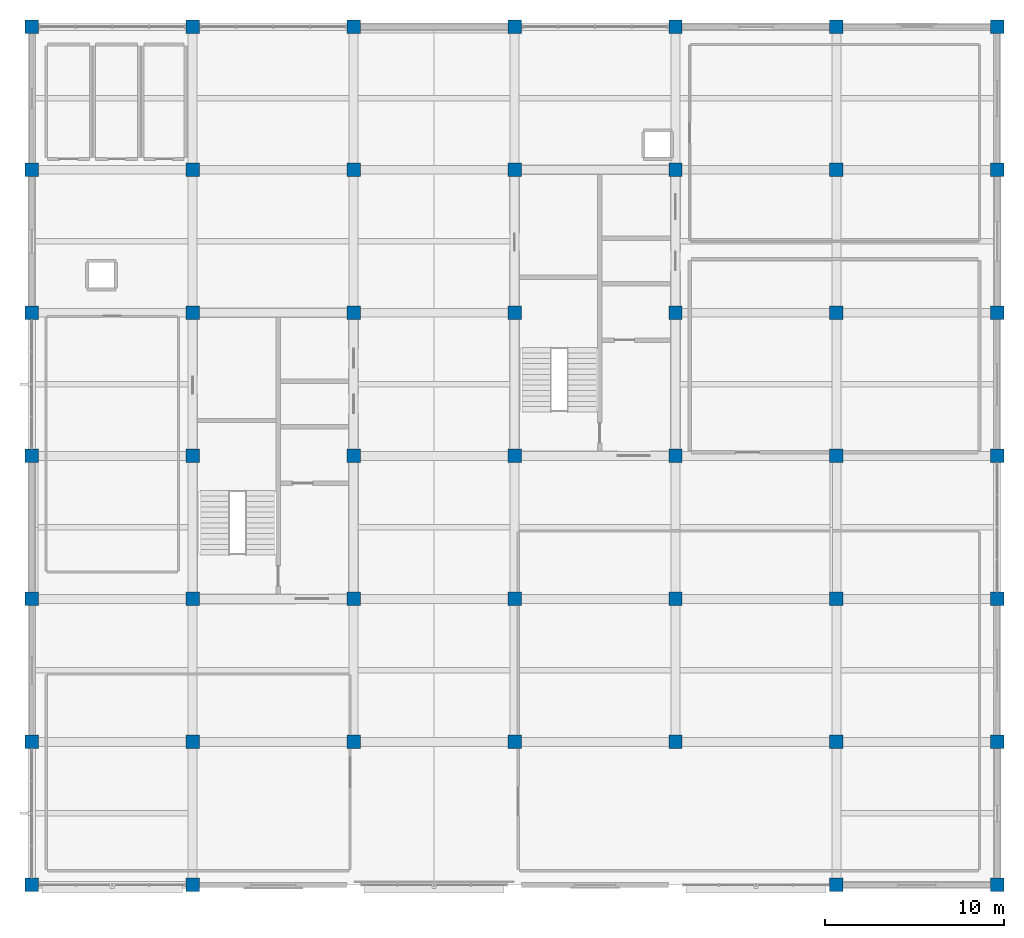
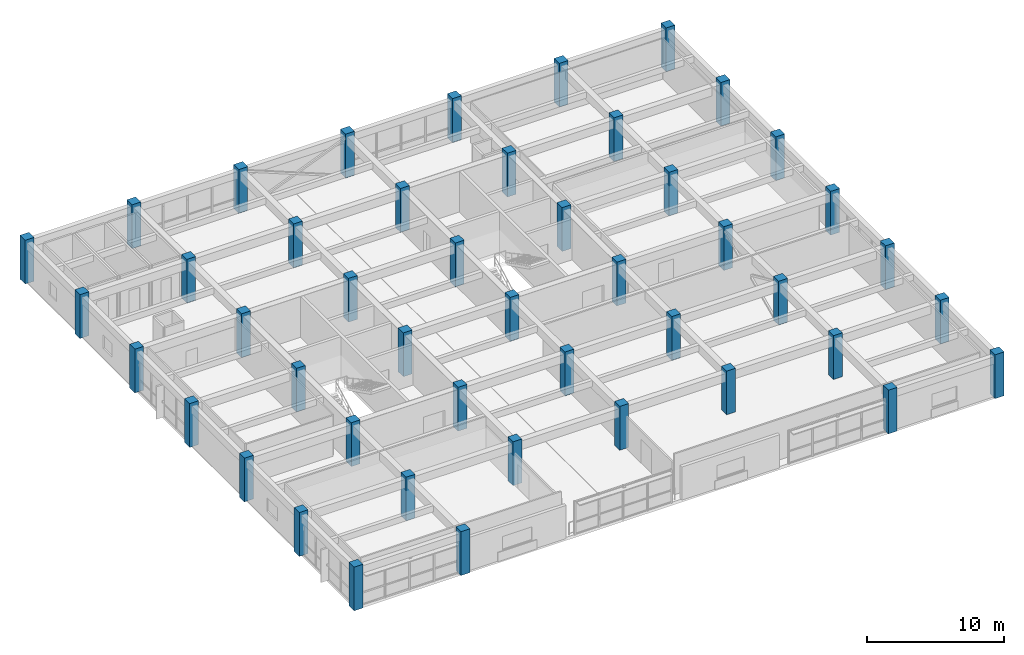
# One storey, part 1 of 15: 46 columns.
"""IFC4 building model written with IfcOpenShell, lengths in metres."""

from ifc_helpers import new_model, si_unit, direction, frame, origin, origin_2d, place, context, subcontext, project, spatial, rectangle, extrude, material, material_profile, profile_set, type_object, element, save


model = new_model("IFC4")

# Units and contexts
model_context = context("Model", 3, precision=1e-05, world=origin(), true_north=direction((0.0, 1.0)))
body_context = subcontext(model_context, "Body", "Model", "MODEL_VIEW")
ifc_project = project(units=[si_unit("LENGTHUNIT", "METRE"), si_unit("AREAUNIT", "SQUARE_METRE"), si_unit("VOLUMEUNIT", "CUBIC_METRE"), si_unit("PLANEANGLEUNIT", "RADIAN"), si_unit("MASSUNIT", "GRAM", prefix="KILO")], contexts=[model_context])

# Site, building, storey
site_placement = place(None, origin())
site = spatial("IfcSite", under=ifc_project, at=site_placement, CompositionType="ELEMENT")
building_placement = place(site_placement, origin())
building = spatial("IfcBuilding", under=site, at=building_placement, Name="Zaverband Oceanarium and Marine Research Institute", CompositionType="ELEMENT")
storey_placement = place(building_placement, frame((0.0, 0.0, 49.199951171875)))
storey = spatial("IfcBuildingStorey", under=building, at=storey_placement, Name="L12", CompositionType="ELEMENT", Elevation=49.199951171875)

# Columns
ifc_material = material(Name="Concrete C50/60", Category="concrete")
ifc_material_profile = material_profile(ifc_material, rectangle(XDim=0.75, YDim=0.75, at=origin_2d()), Name="RC750x750")
ifc_profile_set = profile_set([ifc_material_profile], Name="Concrete C50/60")
column_type = type_object("IfcColumnType", Name="COL-C750", PredefinedType="COLUMN", material=ifc_profile_set)
for number, where, z_axis, x_axis, name in (
    (1, (9.0, 64.0, 0.0), (0.0, 0.0, 1.0), (1.0, 0.0, 0.0), "Reinforced concrete column RC750x750 COL-C750"),
    (2, (9.0, 72.0, 0.0), (0.0, 0.0, 1.0), (1.0, 0.0, 0.0), "Reinforced concrete column RC750x750 COL-C750"),
    (3, (9.0, 80.0, 0.0), (0.0, 0.0, 1.0), (1.0, 0.0, 0.0), "Reinforced concrete column RC750x750 COL-C750"),
    (4, (9.0, 88.0, 0.0), (0.0, 0.0, 1.0), (1.0, 0.0, 0.0), "Reinforced concrete column RC750x750 COL-C750"),
    (5, (9.0, 96.0, 0.0), (0.0, 0.0, 1.0), (1.0, 0.0, 0.0), "Reinforced concrete column RC750x750 COL-C750"),
    (6, (9.0, 104.0, 0.0), (0.0, 0.0, 1.0), (1.0, 0.0, 0.0), "Reinforced concrete column RC750x750 COL-C750"),
    (7, (9.0, 112.0, 0.0), (0.0, 0.0, 1.0), (1.0, 0.0, 0.0), "Reinforced concrete column RC750x750 COL-C750"),
    (8, (18.0, 64.0, 0.0), (0.0, 0.0, 1.0), (1.0, 0.0, 0.0), "Reinforced concrete column RC750x750 COL-C750"),
    (9, (18.0, 72.0, 0.0), (0.0, 0.0, 1.0), (1.0, 0.0, 0.0), "Reinforced concrete column RC750x750 COL-C750"),
    (10, (18.0, 80.0, 0.0), (0.0, 0.0, 1.0), (1.0, 0.0, 0.0), "Reinforced concrete column RC750x750 COL-C750"),
    (11, (18.0, 88.0, 0.0), (0.0, 0.0, 1.0), (1.0, 0.0, 0.0), "Reinforced concrete column RC750x750 COL-C750"),
    (12, (18.0, 96.0, 0.0), (0.0, 0.0, 1.0), (1.0, 0.0, 0.0), "Reinforced concrete column RC750x750 COL-C750"),
    (13, (18.0, 104.0, 0.0), (0.0, 0.0, 1.0), (1.0, 0.0, 0.0), "Reinforced concrete column RC750x750 COL-C750"),
    (14, (18.0, 112.0, 0.0), (0.0, 0.0, 1.0), (1.0, 0.0, 0.0), "Reinforced concrete column RC750x750 COL-C750"),
    (15, (27.0, 72.0, 0.0), (0.0, 0.0, 1.0), (1.0, 0.0, 0.0), "Reinforced concrete column RC750x750 COL-C750"),
    (16, (27.0, 80.0, 0.0), (0.0, 0.0, 1.0), (1.0, 0.0, 0.0), "Reinforced concrete column RC750x750 COL-C750"),
    (17, (27.0, 88.0, 0.0), (0.0, 0.0, 1.0), (1.0, 0.0, 0.0), "Reinforced concrete column RC750x750 COL-C750"),
    (18, (27.0, 96.0, 0.0), (0.0, 0.0, 1.0), (1.0, 0.0, 0.0), "Reinforced concrete column RC750x750 COL-C750"),
    (19, (27.0, 104.0, 0.0), (0.0, 0.0, 1.0), (1.0, 0.0, 0.0), "Reinforced concrete column RC750x750 COL-C750"),
    (20, (27.0, 112.0, 0.0), (0.0, 0.0, 1.0), (1.0, 0.0, 0.0), "Reinforced concrete column RC750x750 COL-C750"),
    (21, (36.0, 72.0, 0.0), (0.0, 0.0, 1.0), (1.0, 0.0, 0.0), "Reinforced concrete column RC750x750 COL-C750"),
    (22, (36.0, 80.0, 0.0), (0.0, 0.0, 1.0), (1.0, 0.0, 0.0), "Reinforced concrete column RC750x750 COL-C750"),
    (23, (36.0, 88.0, 0.0), (0.0, 0.0, 1.0), (1.0, 0.0, 0.0), "Reinforced concrete column RC750x750 COL-C750"),
    (24, (36.0, 96.0, 0.0), (0.0, 0.0, 1.0), (1.0, 0.0, 0.0), "Reinforced concrete column RC750x750 COL-C750"),
    (25, (36.0, 104.0, 0.0), (0.0, 0.0, 1.0), (1.0, 0.0, 0.0), "Reinforced concrete column RC750x750 COL-C750"),
    (26, (36.0, 112.0, 0.0), (0.0, 0.0, 1.0), (1.0, 0.0, 0.0), "Reinforced concrete column RC750x750 COL-C750"),
    (27, (45.0, 72.0, 0.0), (0.0, 0.0, 1.0), (1.0, 0.0, 0.0), "Reinforced concrete column RC750x750 COL-C750"),
    (28, (45.0, 80.0, 0.0), (0.0, 0.0, 1.0), (1.0, 0.0, 0.0), "Reinforced concrete column RC750x750 COL-C750"),
    (29, (45.0, 88.0, 0.0), (0.0, 0.0, 1.0), (1.0, 0.0, 0.0), "Reinforced concrete column RC750x750 COL-C750"),
    (30, (45.0, 96.0, 0.0), (0.0, 0.0, 1.0), (1.0, 0.0, 0.0), "Reinforced concrete column RC750x750 COL-C750"),
    (31, (45.0, 104.0, 0.0), (0.0, 0.0, 1.0), (1.0, 0.0, 0.0), "Reinforced concrete column RC750x750 COL-C750"),
    (32, (45.0, 112.0, 0.0), (0.0, 0.0, 1.0), (1.0, 0.0, 0.0), "Reinforced concrete column RC750x750 COL-C750"),
    (33, (54.0, 64.0, 0.0), (0.0, 0.0, 1.0), (1.0, 0.0, 0.0), "Reinforced concrete column RC750x750 COL-C750"),
    (34, (54.0, 72.0, 0.0), (0.0, 0.0, 1.0), (1.0, 0.0, 0.0), "Reinforced concrete column RC750x750 COL-C750"),
    (35, (54.0, 80.0, 0.0), (0.0, 0.0, 1.0), (1.0, 0.0, 0.0), "Reinforced concrete column RC750x750 COL-C750"),
    (36, (54.0, 88.0, 0.0), (0.0, 0.0, 1.0), (1.0, 0.0, 0.0), "Reinforced concrete column RC750x750 COL-C750"),
    (37, (54.0, 96.0, 0.0), (0.0, 0.0, 1.0), (1.0, 0.0, 0.0), "Reinforced concrete column RC750x750 COL-C750"),
    (38, (54.0, 104.0, 0.0), (0.0, 0.0, 1.0), (1.0, 0.0, 0.0), "Reinforced concrete column RC750x750 COL-C750"),
    (39, (54.0, 112.0, 0.0), (0.0, 0.0, 1.0), (1.0, 0.0, 0.0), "Reinforced concrete column RC750x750 COL-C750"),
    (40, (63.0, 64.0, 0.0), (0.0, 0.0, 1.0), (1.0, 0.0, 0.0), "Reinforced concrete column RC750x750 COL-C750"),
    (41, (63.0, 72.0, 0.0), (0.0, 0.0, 1.0), (1.0, 0.0, 0.0), "Reinforced concrete column RC750x750 COL-C750"),
    (42, (63.0, 80.0, 0.0), (0.0, 0.0, 1.0), (1.0, 0.0, 0.0), "Reinforced concrete column RC750x750 COL-C750"),
    (43, (63.0, 88.0, 0.0), (0.0, 0.0, 1.0), (1.0, 0.0, 0.0), "Reinforced concrete column RC750x750 COL-C750"),
    (44, (63.0, 96.0, 0.0), (0.0, 0.0, 1.0), (1.0, 0.0, 0.0), "Reinforced concrete column RC750x750 COL-C750"),
    (45, (63.0, 104.0, 0.0), (0.0, 0.0, 1.0), (1.0, 0.0, 0.0), "Reinforced concrete column RC750x750 COL-C750"),
    (46, (63.0, 112.0, 0.0), (0.0, 0.0, 1.0), (1.0, 0.0, 0.0), "Reinforced concrete column RC750x750 COL-C750"),
):
    element("IfcColumn", number, at=place(storey_placement, frame(where, z_axis=z_axis, x_axis=x_axis)), inside=storey, type_object=column_type, Name=name, PredefinedType="COLUMN", context=body_context, shape_type="SweptSolid", body=[
        extrude(rectangle(XDim=0.75, YDim=0.75, at=origin_2d()), origin(), (0.0, 0.0, 1.0), 3.900146484375),
    ])

save(model, "model.ifc")
